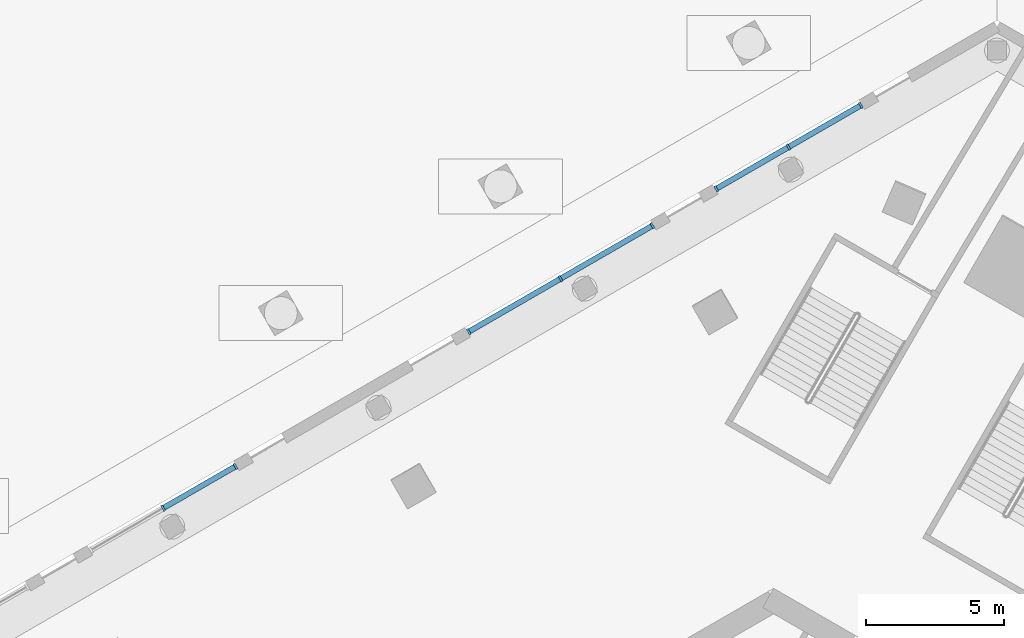
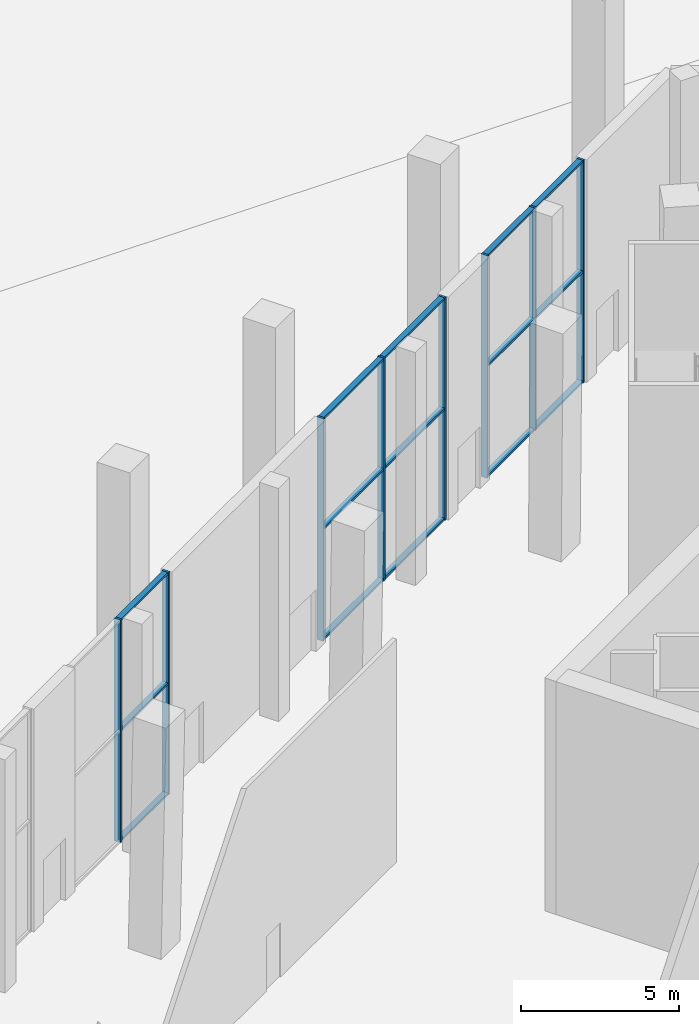
# One storey, part 17 of 63: 23 members, 3 elements without a shape of their own.
"""IFC4 building model written with IfcOpenShell, lengths in metres."""

from ifc_helpers import new_model, si_unit, direction, frame, origin, origin_2d, place, context, subcontext, project, spatial, rectangle, extrude, material, layer, layer_set, material_profile, profile_set, type_object, element, aggregate, save


model = new_model("IFC4")

# Units and contexts
model_context = context("Model", 3, precision=1e-05, world=origin(), true_north=direction((0.0, 1.0)))
body_context = subcontext(model_context, "Body", "Model", "MODEL_VIEW")
ifc_project = project(units=[si_unit("LENGTHUNIT", "METRE"), si_unit("AREAUNIT", "SQUARE_METRE"), si_unit("VOLUMEUNIT", "CUBIC_METRE"), si_unit("PLANEANGLEUNIT", "RADIAN"), si_unit("MASSUNIT", "GRAM", prefix="KILO")], contexts=[model_context])

# Site, building, storey
site_placement = place(None, origin())
site = spatial("IfcSite", under=ifc_project, at=site_placement, CompositionType="ELEMENT")
building_placement = place(site_placement, origin())
building = spatial("IfcBuilding", under=site, at=building_placement, Name="Jabali Bay Hotel Tower and Convention Centre", CompositionType="ELEMENT")
storey_placement = place(building_placement, origin())
storey = spatial("IfcBuildingStorey", under=building, at=storey_placement, Name="L00", CompositionType="ELEMENT", Elevation=0.0)

# Curtain wall, members
ifc_material_1 = material(Name="Aluminium and glass", Category="aluminium")
ifc_layer = layer(ifc_material_1, 0.239990234375)
ifc_layer_set = layer_set([ifc_layer], Name="Aluminium and glass")
curtain_wall_type = type_object("IfcCurtainWallType", Name="CW2 curtain wall", PredefinedType="NOTDEFINED", material=ifc_layer_set)
curtain_wall_1_placement = place(storey_placement, origin())
curtain_wall_1 = element("IfcCurtainWall", 1, at=curtain_wall_1_placement, inside=storey, type_object=curtain_wall_type, Name="CW2 curtain wall north-west face L00", PredefinedType="NOTDEFINED")
ifc_material_2 = material(Name="Aluminium", Category="aluminium")
ifc_material_profile_1 = material_profile(ifc_material_2, rectangle(XDim=0.239990234375, YDim=0.080078125, at=origin_2d()), Name="CW2 mullion 80 x 240")
ifc_profile_set_1 = profile_set([ifc_material_profile_1], Name="Aluminium")
member_type_1 = type_object("IfcMemberType", Name="CW2 mullion 80 x 240", PredefinedType="MULLION", material=ifc_profile_set_1)
member_1_placement = place(storey_placement, frame((84.636962890625, 118.472900390625, 0.0), z_axis=(0.0, 0.0, 1.0), x_axis=(-0.499999999441, 0.866025404107, 0.0)))
member_1 = element("IfcMember", 2, at=member_1_placement, type_object=member_type_1, Name="CW2 mullion 1", PredefinedType="MULLION", context=body_context, shape_type="SweptSolid", body=[
    extrude(rectangle(XDim=0.239990234375, YDim=0.080078125, at=origin_2d()), origin(), (0.0, 0.0, 1.0), 8.60009765625),
])
member_2_placement = place(storey_placement, frame((87.26416015625, 119.98974609375, 0.0), z_axis=(0.0, 0.0, 1.0), x_axis=(-0.499999999441, 0.866025404107, 0.0)))
member_2 = element("IfcMember", 3, at=member_2_placement, type_object=member_type_1, Name="CW2 mullion 2", PredefinedType="MULLION", context=body_context, shape_type="SweptSolid", body=[
    extrude(rectangle(XDim=0.239990234375, YDim=0.080078125, at=origin_2d()), origin(), (0.0, 0.0, 1.0), 8.60009765625),
])
member_3_placement = place(storey_placement, frame((89.8916015625, 121.506591796875, 0.0), z_axis=(0.0, 0.0, 1.0), x_axis=(-0.499999999441, 0.866025404107, 0.0)))
member_3 = element("IfcMember", 4, at=member_3_placement, type_object=member_type_1, Name="CW2 mullion 3", PredefinedType="MULLION", context=body_context, shape_type="SweptSolid", body=[
    extrude(rectangle(XDim=0.239990234375, YDim=0.080078125, at=origin_2d()), origin(), (0.0, 0.0, 1.0), 8.60009765625),
])

curtain_wall_2_placement = place(storey_placement, origin())
curtain_wall_2 = element("IfcCurtainWall", 5, at=curtain_wall_2_placement, inside=storey, type_object=curtain_wall_type, Name="CW2 curtain wall north-west face L00", PredefinedType="NOTDEFINED")
member_4_placement = place(storey_placement, frame((75.643798828125, 113.280517578125, 0.0), z_axis=(0.0, 0.0, 1.0), x_axis=(-0.499999999441, 0.866025404107, 0.0)))
member_4 = element("IfcMember", 6, at=member_4_placement, type_object=member_type_1, Name="CW2 mullion 1", PredefinedType="MULLION", context=body_context, shape_type="SweptSolid", body=[
    extrude(rectangle(XDim=0.239990234375, YDim=0.080078125, at=origin_2d()), origin(), (0.0, 0.0, 1.0), 8.60009765625),
])
member_5_placement = place(storey_placement, frame((78.979736328125, 115.206787109375, 0.0), z_axis=(0.0, 0.0, 1.0), x_axis=(-0.499999999441, 0.866025404107, 0.0)))
member_5 = element("IfcMember", 7, at=member_5_placement, type_object=member_type_1, Name="CW2 mullion 2", PredefinedType="MULLION", context=body_context, shape_type="SweptSolid", body=[
    extrude(rectangle(XDim=0.239990234375, YDim=0.080078125, at=origin_2d()), origin(), (0.0, 0.0, 1.0), 8.60009765625),
])
member_6_placement = place(storey_placement, frame((82.31591796875, 117.1328125, 0.0), z_axis=(0.0, 0.0, 1.0), x_axis=(-0.499999999441, 0.866025404107, 0.0)))
member_6 = element("IfcMember", 8, at=member_6_placement, type_object=member_type_1, Name="CW2 mullion 3", PredefinedType="MULLION", context=body_context, shape_type="SweptSolid", body=[
    extrude(rectangle(XDim=0.239990234375, YDim=0.080078125, at=origin_2d()), origin(), (0.0, 0.0, 1.0), 8.60009765625),
])

curtain_wall_3_placement = place(storey_placement, origin())
curtain_wall_3 = element("IfcCurtainWall", 9, at=curtain_wall_3_placement, inside=storey, type_object=curtain_wall_type, Name="CW2 curtain wall north-west face L00", PredefinedType="NOTDEFINED")
member_7_placement = place(storey_placement, frame((64.537841796875, 106.86865234375, 0.0), z_axis=(0.0, 0.0, 1.0), x_axis=(-0.499999999441, 0.866025404107, 0.0)))
member_7 = element("IfcMember", 10, at=member_7_placement, type_object=member_type_1, Name="CW2 mullion 2", PredefinedType="MULLION", context=body_context, shape_type="SweptSolid", body=[
    extrude(rectangle(XDim=0.239990234375, YDim=0.080078125, at=origin_2d()), origin(), (0.0, 0.0, 1.0), 8.60009765625),
])
member_8_placement = place(storey_placement, frame((67.1650390625, 108.385498046875, 0.0), z_axis=(0.0, 0.0, 1.0), x_axis=(-0.499999999441, 0.866025404107, 0.0)))
member_8 = element("IfcMember", 11, at=member_8_placement, type_object=member_type_1, Name="CW2 mullion 3", PredefinedType="MULLION", context=body_context, shape_type="SweptSolid", body=[
    extrude(rectangle(XDim=0.239990234375, YDim=0.080078125, at=origin_2d()), origin(), (0.0, 0.0, 1.0), 8.60009765625),
])

# Member
ifc_material_profile_2 = material_profile(ifc_material_2, rectangle(XDim=0.199951171875, YDim=0.080078125, at=origin_2d()), Name="CW2 transom 80 x 200")
ifc_profile_set_2 = profile_set([ifc_material_profile_2], Name="Aluminium")
member_type_2 = type_object("IfcMemberType", Name="CW2 transom 80 x 200", PredefinedType="USERDEFINED", material=ifc_profile_set_2)
member_9_placement = place(storey_placement, frame((84.671630859375, 118.492919921875, 0.0400390625), z_axis=(0.866021780494, 0.500006275671, 0.0), x_axis=(-0.500006275671, 0.866021780494, 0.0)))
member_9 = element("IfcMember", 12, at=member_9_placement, type_object=member_type_2, Name="CW2 transom 1.1", ObjectType="TRANSOM", PredefinedType="USERDEFINED", context=body_context, shape_type="SweptSolid", body=[
    extrude(rectangle(XDim=0.199951171875, YDim=0.080078125, at=origin_2d()), origin(), (0.0, 0.0, 1.0), 2.95361328125),
])

member_10_placement = place(storey_placement, frame((84.671630859375, 118.492919921875, 4.300048828125), z_axis=(0.866021780494, 0.500006275671, 0.0), x_axis=(-0.500006275671, 0.866021780494, 0.0)))
member_10 = element("IfcMember", 13, at=member_10_placement, type_object=member_type_2, Name="CW2 transom 1.2", ObjectType="TRANSOM", PredefinedType="USERDEFINED", context=body_context, shape_type="SweptSolid", body=[
    extrude(rectangle(XDim=0.199951171875, YDim=0.080078125, at=origin_2d()), origin(), (0.0, 0.0, 1.0), 2.95361328125),
])

member_11_placement = place(storey_placement, frame((84.671630859375, 118.492919921875, 8.56005859375), z_axis=(0.866021780494, 0.500006275671, 0.0), x_axis=(-0.500006275671, 0.866021780494, 0.0)))
member_11 = element("IfcMember", 14, at=member_11_placement, type_object=member_type_2, Name="CW2 transom 1.3", ObjectType="TRANSOM", PredefinedType="USERDEFINED", context=body_context, shape_type="SweptSolid", body=[
    extrude(rectangle(XDim=0.199951171875, YDim=0.080078125, at=origin_2d()), origin(), (0.0, 0.0, 1.0), 2.95361328125),
])

member_12_placement = place(storey_placement, frame((87.298828125, 120.009765625, 0.0400390625), z_axis=(0.866042443626, 0.499970484968, 0.0), x_axis=(-0.499970484968, 0.866042443626, 0.0)))
member_12 = element("IfcMember", 15, at=member_12_placement, type_object=member_type_2, Name="CW2 transom 2.1", ObjectType="TRANSOM", PredefinedType="USERDEFINED", context=body_context, shape_type="SweptSolid", body=[
    extrude(rectangle(XDim=0.199951171875, YDim=0.080078125, at=origin_2d()), origin(), (0.0, 0.0, 1.0), 2.953857421875),
])

member_13_placement = place(storey_placement, frame((87.298828125, 120.009765625, 4.300048828125), z_axis=(0.866042443626, 0.499970484968, 0.0), x_axis=(-0.499970484968, 0.866042443626, 0.0)))
member_13 = element("IfcMember", 16, at=member_13_placement, type_object=member_type_2, Name="CW2 transom 2.2", ObjectType="TRANSOM", PredefinedType="USERDEFINED", context=body_context, shape_type="SweptSolid", body=[
    extrude(rectangle(XDim=0.199951171875, YDim=0.080078125, at=origin_2d()), origin(), (0.0, 0.0, 1.0), 2.953857421875),
])

member_14_placement = place(storey_placement, frame((87.298828125, 120.009765625, 8.56005859375), z_axis=(0.866042443626, 0.499970484968, 0.0), x_axis=(-0.499970484968, 0.866042443626, 0.0)))
member_14 = element("IfcMember", 17, at=member_14_placement, type_object=member_type_2, Name="CW2 transom 2.3", ObjectType="TRANSOM", PredefinedType="USERDEFINED", context=body_context, shape_type="SweptSolid", body=[
    extrude(rectangle(XDim=0.199951171875, YDim=0.080078125, at=origin_2d()), origin(), (0.0, 0.0, 1.0), 2.953857421875),
])

aggregate(curtain_wall_1, [member_1, member_2, member_3, member_9, member_10, member_11, member_12, member_13, member_14])

member_15_placement = place(storey_placement, frame((75.67822265625, 113.300537109375, 0.0400390625), z_axis=(0.866028242545, 0.49999508309, 0.0), x_axis=(-0.49999508309, 0.866028242545, 0.0)))
member_15 = element("IfcMember", 18, at=member_15_placement, type_object=member_type_2, Name="CW2 transom 1.1", ObjectType="TRANSOM", PredefinedType="USERDEFINED", context=body_context, shape_type="SweptSolid", body=[
    extrude(rectangle(XDim=0.199951171875, YDim=0.080078125, at=origin_2d()), origin(), (0.0, 0.0, 1.0), 3.7724609375),
])

member_16_placement = place(storey_placement, frame((75.67822265625, 113.300537109375, 4.300048828125), z_axis=(0.866028242545, 0.49999508309, 0.0), x_axis=(-0.49999508309, 0.866028242545, 0.0)))
member_16 = element("IfcMember", 19, at=member_16_placement, type_object=member_type_2, Name="CW2 transom 1.2", ObjectType="TRANSOM", PredefinedType="USERDEFINED", context=body_context, shape_type="SweptSolid", body=[
    extrude(rectangle(XDim=0.199951171875, YDim=0.080078125, at=origin_2d()), origin(), (0.0, 0.0, 1.0), 3.7724609375),
])

member_17_placement = place(storey_placement, frame((75.67822265625, 113.300537109375, 8.56005859375), z_axis=(0.866028242545, 0.49999508309, 0.0), x_axis=(-0.49999508309, 0.866028242545, 0.0)))
member_17 = element("IfcMember", 20, at=member_17_placement, type_object=member_type_2, Name="CW2 transom 1.3", ObjectType="TRANSOM", PredefinedType="USERDEFINED", context=body_context, shape_type="SweptSolid", body=[
    extrude(rectangle(XDim=0.199951171875, YDim=0.080078125, at=origin_2d()), origin(), (0.0, 0.0, 1.0), 3.7724609375),
])

member_18_placement = place(storey_placement, frame((79.014404296875, 115.226806640625, 0.0400390625), z_axis=(0.866056264717, 0.499946543487, 0.0), x_axis=(-0.499946543487, 0.866056264717, 0.0)))
member_18 = element("IfcMember", 21, at=member_18_placement, type_object=member_type_2, Name="CW2 transom 2.1", ObjectType="TRANSOM", PredefinedType="USERDEFINED", context=body_context, shape_type="SweptSolid", body=[
    extrude(rectangle(XDim=0.199951171875, YDim=0.080078125, at=origin_2d()), origin(), (0.0, 0.0, 1.0), 3.7724609375),
])

member_19_placement = place(storey_placement, frame((79.014404296875, 115.226806640625, 4.300048828125), z_axis=(0.866056264717, 0.499946543487, 0.0), x_axis=(-0.499946543487, 0.866056264717, 0.0)))
member_19 = element("IfcMember", 22, at=member_19_placement, type_object=member_type_2, Name="CW2 transom 2.2", ObjectType="TRANSOM", PredefinedType="USERDEFINED", context=body_context, shape_type="SweptSolid", body=[
    extrude(rectangle(XDim=0.199951171875, YDim=0.080078125, at=origin_2d()), origin(), (0.0, 0.0, 1.0), 3.7724609375),
])

member_20_placement = place(storey_placement, frame((79.014404296875, 115.226806640625, 8.56005859375), z_axis=(0.866056264717, 0.499946543487, 0.0), x_axis=(-0.499946543487, 0.866056264717, 0.0)))
member_20 = element("IfcMember", 23, at=member_20_placement, type_object=member_type_2, Name="CW2 transom 2.3", ObjectType="TRANSOM", PredefinedType="USERDEFINED", context=body_context, shape_type="SweptSolid", body=[
    extrude(rectangle(XDim=0.199951171875, YDim=0.080078125, at=origin_2d()), origin(), (0.0, 0.0, 1.0), 3.7724609375),
])

aggregate(curtain_wall_2, [member_4, member_5, member_6, member_15, member_16, member_17, member_18, member_19, member_20])

member_21_placement = place(storey_placement, frame((64.572509765625, 106.888671875, 0.0400390625), z_axis=(0.866021780494, 0.500006275671, 0.0), x_axis=(-0.500006275671, 0.866021780494, 0.0)))
member_21 = element("IfcMember", 24, at=member_21_placement, type_object=member_type_2, Name="CW2 transom 2.1", ObjectType="TRANSOM", PredefinedType="USERDEFINED", context=body_context, shape_type="SweptSolid", body=[
    extrude(rectangle(XDim=0.199951171875, YDim=0.080078125, at=origin_2d()), origin(), (0.0, 0.0, 1.0), 2.95361328125),
])

member_22_placement = place(storey_placement, frame((64.572509765625, 106.888671875, 4.300048828125), z_axis=(0.866021780494, 0.500006275671, 0.0), x_axis=(-0.500006275671, 0.866021780494, 0.0)))
member_22 = element("IfcMember", 25, at=member_22_placement, type_object=member_type_2, Name="CW2 transom 2.2", ObjectType="TRANSOM", PredefinedType="USERDEFINED", context=body_context, shape_type="SweptSolid", body=[
    extrude(rectangle(XDim=0.199951171875, YDim=0.080078125, at=origin_2d()), origin(), (0.0, 0.0, 1.0), 2.95361328125),
])

member_23_placement = place(storey_placement, frame((64.572509765625, 106.888671875, 8.56005859375), z_axis=(0.866021780494, 0.500006275671, 0.0), x_axis=(-0.500006275671, 0.866021780494, 0.0)))
member_23 = element("IfcMember", 26, at=member_23_placement, type_object=member_type_2, Name="CW2 transom 2.3", ObjectType="TRANSOM", PredefinedType="USERDEFINED", context=body_context, shape_type="SweptSolid", body=[
    extrude(rectangle(XDim=0.199951171875, YDim=0.080078125, at=origin_2d()), origin(), (0.0, 0.0, 1.0), 2.95361328125),
])

aggregate(curtain_wall_3, [member_7, member_8, member_21, member_22, member_23])

save(model, "model.ifc")
